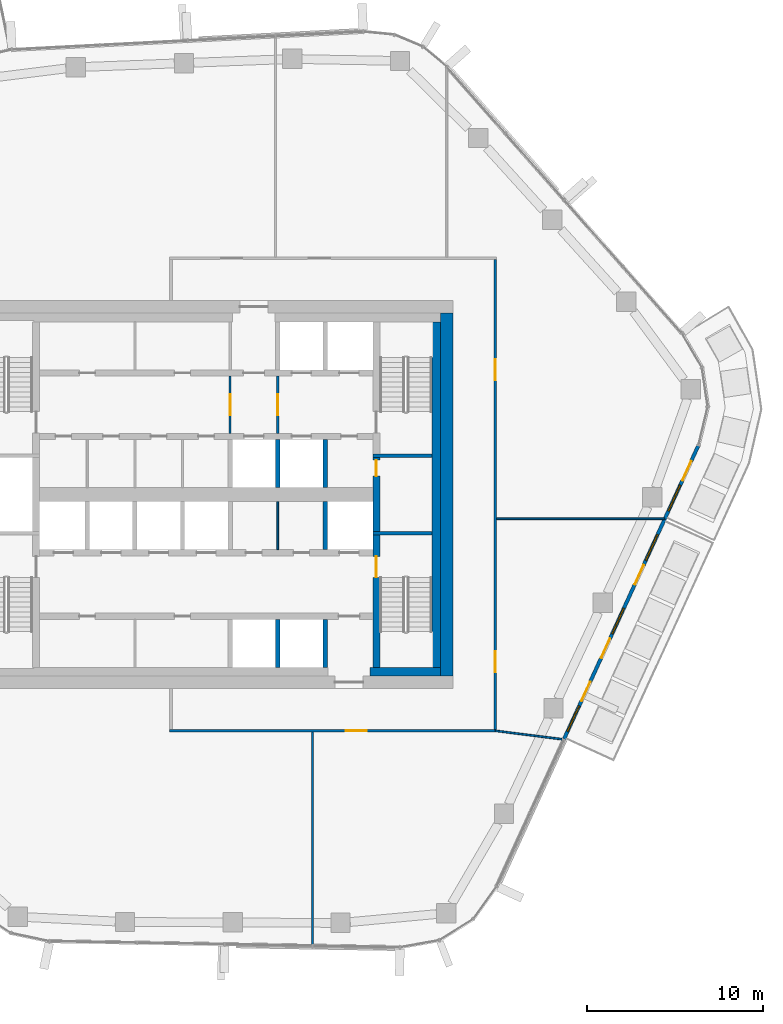
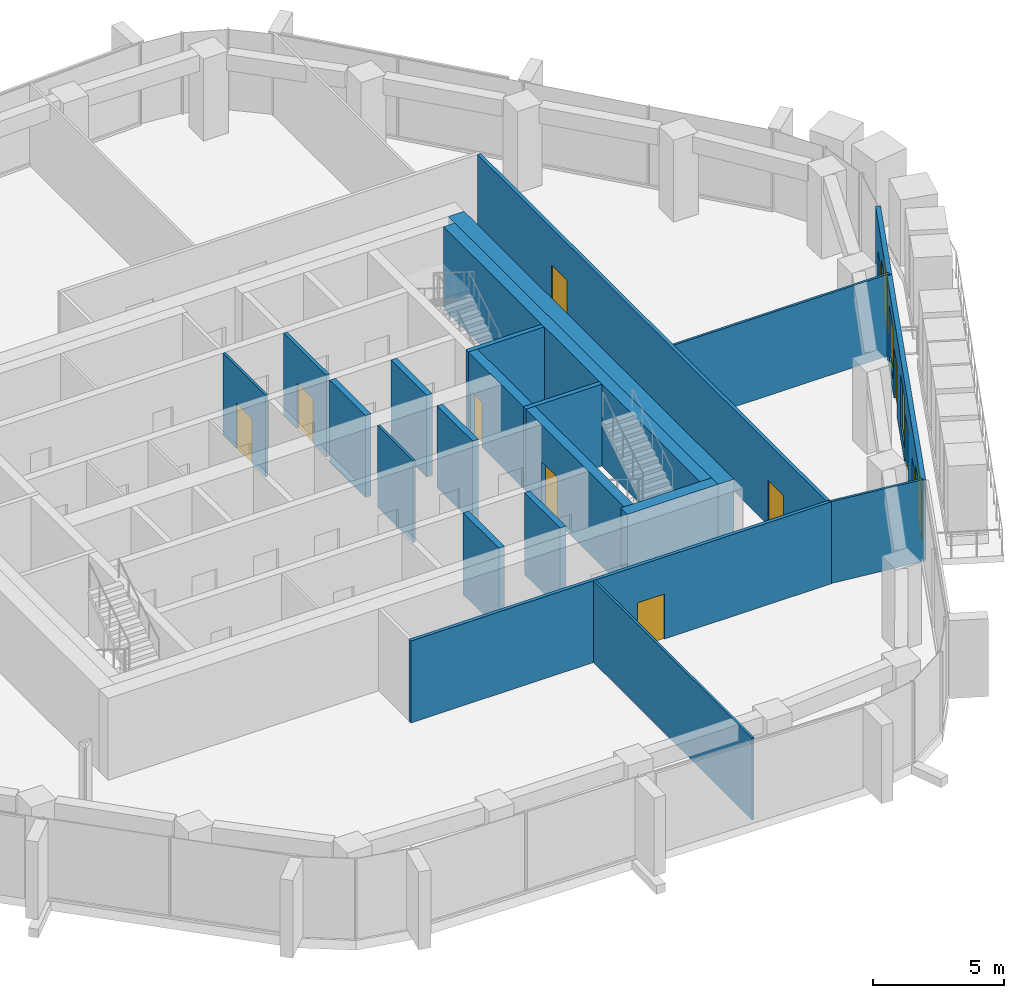
# One storey, part 13 of 22: 22 walls, 11 doors, 4 windows, 15 openings.
"""IFC4 building model written with IfcOpenShell, lengths in metres."""

from ifc_helpers import new_model, si_unit, direction, frame, frame_2d, origin, place, context, subcontext, project, spatial, rectangle, extrude, material, layer, layer_set, type_object, element, fill, save


model = new_model("IFC4")

# Units and contexts
model_context = context("Model", 3, precision=1e-05, world=origin(), true_north=direction((0.0, 1.0)))
body_context = subcontext(model_context, "Body", "Model", "MODEL_VIEW")
ifc_project = project(units=[si_unit("LENGTHUNIT", "METRE"), si_unit("AREAUNIT", "SQUARE_METRE"), si_unit("VOLUMEUNIT", "CUBIC_METRE"), si_unit("PLANEANGLEUNIT", "RADIAN"), si_unit("MASSUNIT", "GRAM", prefix="KILO")], contexts=[model_context])

# Site, building, storey
site_placement = place(None, origin())
site = spatial("IfcSite", under=ifc_project, at=site_placement, CompositionType="ELEMENT")
building_placement = place(site_placement, origin())
building = spatial("IfcBuilding", under=site, at=building_placement, Name="Dongbaek Canopy Tower", CompositionType="ELEMENT")
storey_placement = place(building_placement, frame((0.0, 0.0, 237.0)))
storey = spatial("IfcBuildingStorey", under=building, at=storey_placement, Name="L49", CompositionType="ELEMENT", Elevation=237.0)

# Walls
ifc_material_1 = material(Name="Concrete C70/85", Category="concrete")
ifc_layer_1 = layer(ifc_material_1, 0.699951171875)
ifc_layer_set_1 = layer_set([ifc_layer_1], Name="Core outer wall 700 Concrete C70/85")
wall_type_1 = type_object("IfcWallType", Name="Core outer wall 700 Concrete C70/85", PredefinedType="SHEAR", material=ifc_layer_set_1)
wall_1_placement = place(storey_placement, frame((13.64990234375, 10.300048828125, 0.0), z_axis=(0.0, 0.0, 1.0), x_axis=(0.0, -1.0, 0.0)))
element("IfcWall", 1, at=wall_1_placement, inside=storey, type_object=wall_type_1, Name="Core wall", PredefinedType="SHEAR", context=body_context, shape_type="SweptSolid", body=[
    extrude(rectangle(XDim=20.60009765625, YDim=0.699951171875, at=frame_2d((10.300048828125, 0.0))), origin(), (0.0, 0.0, 1.0), 3.820068359375),
])
ifc_material_2 = material(Name="Concrete C60/75", Category="concrete")
ifc_layer_2 = layer(ifc_material_2, 0.5)
ifc_layer_set_2 = layer_set([ifc_layer_2], Name="Core wall lining 500 Concrete C60/75")
wall_type_2 = type_object("IfcWallType", Name="Core wall lining 500 Concrete C60/75", PredefinedType="SHEAR", material=ifc_layer_set_2)
wall_2_placement = place(storey_placement, frame((13.300048828125, -10.050048828125, 0.0), z_axis=(0.0, 0.0, 1.0), x_axis=(-1.0, 0.0, 0.0)))
element("IfcWall", 2, at=wall_2_placement, inside=storey, type_object=wall_type_2, Name="Core wall lining", PredefinedType="SHEAR", context=body_context, shape_type="SweptSolid", body=[
    extrude(rectangle(XDim=4.0, YDim=0.5, at=frame_2d((2.0, 0.0))), origin(), (0.0, 0.0, 1.0), 3.820068359375),
])
wall_3_placement = place(storey_placement, frame((13.050048828125, 9.800048828125, 0.0), z_axis=(0.0, 0.0, 1.0), x_axis=(0.0, -1.0, 0.0)))
element("IfcWall", 3, at=wall_3_placement, inside=storey, type_object=wall_type_2, Name="Core wall lining", PredefinedType="SHEAR", context=body_context, shape_type="SweptSolid", body=[
    extrude(rectangle(XDim=19.60009765625, YDim=0.5, at=frame_2d((9.800048828125, 0.0))), origin(), (0.0, 0.0, 1.0), 3.820068359375),
])

# Wall, opening, door
ifc_material_3 = material(Name="Gypsum board partition, steel stud, 2 x 15 mm fire board", Category="steel")
ifc_layer_3 = layer(ifc_material_3, 0.14990234375)
ifc_layer_set_3 = layer_set([ifc_layer_3], Name="Fire-rated partition 150 gypsum board")
wall_type_3 = type_object("IfcWallType", Name="Fire-rated partition 150 gypsum board", PredefinedType="PARTITIONING", material=ifc_layer_set_3)
wall_4_placement = place(storey_placement, frame((16.47509765625, -13.39990234375, 0.0), z_axis=(0.0, 0.0, 1.0), x_axis=(-1.0, 0.0, 0.0)))
wall_4 = element("IfcWall", 4, at=wall_4_placement, inside=storey, type_object=wall_type_3, Name="Corridor partition", PredefinedType="PARTITIONING", context=body_context, shape_type="SweptSolid", body=[
    extrude(rectangle(XDim=18.550048828125, YDim=0.14990234375, at=frame_2d((9.27490234375, 0.0))), origin(), (0.0, 0.0, 1.0), 3.820068359375),
])
opening_1_placement = place(wall_4_placement, frame((7.3671875, 0.0, 0.0)))
opening_1 = element("IfcOpeningElement", 5, at=opening_1_placement, cuts=wall_4, Name="Opening L49-D002", PredefinedType="OPENING", context=body_context, shape_type="SweptSolid", body=[
    extrude(rectangle(XDim=1.199951171875, YDim=2.10009765625, at=frame_2d((0.60009765625, 1.050048828125))), frame((0.0, 0.0849609375, 0.0), z_axis=(0.0, -1.0, 0.0), x_axis=(1.0, 0.0, 0.0)), (0.0, 0.0, 1.0), 0.169921875),
])
ifc_material_4 = material(Name="Timber veneered door leaf", Category="wood")
door_type_1 = type_object("IfcDoorType", Name="Room door 1200 x 2100", OperationType="SINGLE_SWING_LEFT", PredefinedType="DOOR", material=ifc_material_4)
door_1_placement = place(opening_1_placement, origin())
door_1 = element("IfcDoor", 6, at=door_1_placement, inside=storey, type_object=door_type_1, Name="Door L49-D002", OperationType="SINGLE_SWING_LEFT", OverallHeight=2.10009765625, OverallWidth=1.199951171875, PredefinedType="DOOR", context=body_context, shape_type="SweptSolid", body=[
    extrude(rectangle(XDim=1.199951171875, YDim=2.10009765625, at=frame_2d((0.60009765625, 1.050048828125))), frame((0.0, 0.02490234375, 0.0), z_axis=(0.0, -1.0, 0.0), x_axis=(1.0, 0.0, 0.0)), (0.0, 0.0, 1.0), 0.050048828125),
])
fill(opening_1, door_1)

# Wall, openings, doors
wall_5_placement = place(storey_placement, frame((16.39990234375, 13.324951171875, 0.0), z_axis=(0.0, 0.0, 1.0), x_axis=(0.0, -1.0, 0.0)))
wall_5 = element("IfcWall", 7, at=wall_5_placement, inside=storey, type_object=wall_type_3, Name="Corridor partition", PredefinedType="PARTITIONING", context=body_context, shape_type="SweptSolid", body=[
    extrude(rectangle(XDim=26.64990234375, YDim=0.14990234375, at=frame_2d((13.324951171875, 0.0))), origin(), (0.0, 0.0, 1.0), 3.820068359375),
])
opening_2_placement = place(wall_5_placement, frame((22.198974609375, 0.0, 0.0)))
opening_2 = element("IfcOpeningElement", 8, at=opening_2_placement, cuts=wall_5, Name="Opening L49-D003", PredefinedType="OPENING", context=body_context, shape_type="SweptSolid", body=[
    extrude(rectangle(XDim=1.199951171875, YDim=2.10009765625, at=frame_2d((0.60009765625, 1.050048828125))), frame((0.0, 0.0849609375, 0.0), z_axis=(0.0, -1.0, 0.0), x_axis=(1.0, 0.0, 0.0)), (0.0, 0.0, 1.0), 0.169921875),
])
opening_3_placement = place(wall_5_placement, frame((5.651123046875, 0.0, 0.0)))
opening_3 = element("IfcOpeningElement", 9, at=opening_3_placement, cuts=wall_5, Name="Opening L49-D004", PredefinedType="OPENING", context=body_context, shape_type="SweptSolid", body=[
    extrude(rectangle(XDim=1.199951171875, YDim=2.10009765625, at=frame_2d((0.60009765625, 1.050048828125))), frame((0.0, 0.0849609375, 0.0), z_axis=(0.0, -1.0, 0.0), x_axis=(1.0, 0.0, 0.0)), (0.0, 0.0, 1.0), 0.169921875),
])
door_2_placement = place(opening_2_placement, origin())
door_2 = element("IfcDoor", 10, at=door_2_placement, inside=storey, type_object=door_type_1, Name="Door L49-D003", OperationType="SINGLE_SWING_RIGHT", OverallHeight=2.10009765625, OverallWidth=1.199951171875, PredefinedType="DOOR", context=body_context, shape_type="SweptSolid", body=[
    extrude(rectangle(XDim=1.199951171875, YDim=2.10009765625, at=frame_2d((0.60009765625, 1.050048828125))), frame((0.0, 0.02490234375, 0.0), z_axis=(0.0, -1.0, 0.0), x_axis=(1.0, 0.0, 0.0)), (0.0, 0.0, 1.0), 0.050048828125),
])
fill(opening_2, door_2)
door_3_placement = place(opening_3_placement, origin())
door_3 = element("IfcDoor", 11, at=door_3_placement, inside=storey, type_object=door_type_1, Name="Door L49-D004", OperationType="SINGLE_SWING_LEFT", OverallHeight=2.10009765625, OverallWidth=1.199951171875, PredefinedType="DOOR", context=body_context, shape_type="SweptSolid", body=[
    extrude(rectangle(XDim=1.199951171875, YDim=2.10009765625, at=frame_2d((0.60009765625, 1.050048828125))), frame((0.0, 0.02490234375, 0.0), z_axis=(0.0, -1.0, 0.0), x_axis=(1.0, 0.0, 0.0)), (0.0, 0.0, 1.0), 0.050048828125),
])
fill(opening_3, door_3)

# Wall, opening, door
wall_6_placement = place(storey_placement, frame((4.050048828125, 6.72509765625, 0.0), z_axis=(0.0, 0.0, 1.0), x_axis=(0.0, -1.0, 0.0)))
wall_6 = element("IfcWall", 12, at=wall_6_placement, inside=storey, type_object=wall_type_3, Name="Fire lobby partition", PredefinedType="PARTITIONING", context=body_context, shape_type="SweptSolid", body=[
    extrude(rectangle(XDim=3.25, YDim=0.14990234375, at=frame_2d((1.625, 0.0))), origin(), (0.0, 0.0, 1.0), 3.820068359375),
])
opening_4_placement = place(wall_6_placement, frame((1.02490234375, 0.0, 0.0)))
opening_4 = element("IfcOpeningElement", 13, at=opening_4_placement, cuts=wall_6, Name="Opening L49-D036", PredefinedType="OPENING", context=body_context, shape_type="SweptSolid", body=[
    extrude(rectangle(XDim=1.199951171875, YDim=2.10009765625, at=frame_2d((0.60009765625, 1.050048828125))), frame((0.0, 0.0849609375, 0.0), z_axis=(0.0, -1.0, 0.0), x_axis=(1.0, 0.0, 0.0)), (0.0, 0.0, 1.0), 0.169921875),
])
ifc_material_5 = material(Name="Steel", Category="steel")
door_type_2 = type_object("IfcDoorType", Name="Fire lobby door 1200 x 2100", OperationType="SINGLE_SWING_LEFT", PredefinedType="DOOR", material=ifc_material_5)
door_4_placement = place(opening_4_placement, origin())
door_4 = element("IfcDoor", 14, at=door_4_placement, inside=storey, type_object=door_type_2, Name="Door L49-D036", OperationType="SINGLE_SWING_RIGHT", OverallHeight=2.10009765625, OverallWidth=1.199951171875, PredefinedType="DOOR", context=body_context, shape_type="SweptSolid", body=[
    extrude(rectangle(XDim=1.199951171875, YDim=2.10009765625, at=frame_2d((0.60009765625, 1.050048828125))), frame((0.0, 0.02490234375, 0.0), z_axis=(0.0, -1.0, 0.0), x_axis=(1.0, 0.0, 0.0)), (0.0, 0.0, 1.0), 0.050048828125),
])
fill(opening_4, door_4)

# Walls
ifc_material_6 = material(Name="Concrete C40/50", Category="concrete")
ifc_layer_4 = layer(ifc_material_6, 0.25)
ifc_layer_set_4 = layer_set([ifc_layer_4], Name="Lift shaft wall 250 Concrete C40/50")
wall_type_4 = type_object("IfcWallType", Name="Lift shaft wall 250 Concrete C40/50", PredefinedType="SOLIDWALL", material=ifc_layer_set_4)
for number, where, z_axis, x_axis, name in (
    (15, (6.75, -9.800048828125, 0.0), (0.0, 0.0, 1.0), (0.0, 1.0, 0.0), "Lift shaft wall"),
    (16, (6.75, -3.125, 0.0), (0.0, 0.0, 1.0), (0.0, 1.0, 0.0), "Lift shaft wall"),
    (17, (6.75, 0.39990234375, 0.0), (0.0, 0.0, 1.0), (0.0, 1.0, 0.0), "Lift shaft wall"),
    (18, (4.050048828125, -9.800048828125, 0.0), (0.0, 0.0, 1.0), (0.0, 1.0, 0.0), "Lift shaft wall"),
    (19, (4.050048828125, 0.39990234375, 0.0), (0.0, 0.0, 1.0), (0.0, 1.0, 0.0), "Lift shaft wall"),
):
    element("IfcWall", number, at=place(storey_placement, frame(where, z_axis=z_axis, x_axis=x_axis)), inside=storey, type_object=wall_type_4, Name=name, PredefinedType="SOLIDWALL", context=body_context, shape_type="SweptSolid", body=[
        extrude(rectangle(XDim=2.72509765625, YDim=0.25, at=frame_2d((1.362548828125, 0.0))), origin(), (0.0, 0.0, 1.0), 3.820068359375),
    ])
ifc_material_7 = material(Name="Gypsum board partition, steel stud, 2 x 12.5 mm board", Category="steel")
ifc_layer_5 = layer(ifc_material_7, 0.10009765625)
ifc_layer_set_5 = layer_set([ifc_layer_5], Name="Partition 100 gypsum board")
wall_type_5 = type_object("IfcWallType", Name="Partition 100 gypsum board", PredefinedType="PARTITIONING", material=ifc_layer_set_5)
wall_7_placement = place(storey_placement, frame((16.47509765625, -1.3759765625, 0.0), z_axis=(0.0, 0.0, 1.0), x_axis=(1.0, 0.0, 0.0)))
element("IfcWall", 20, at=wall_7_placement, inside=storey, type_object=wall_type_5, Name="Partition", PredefinedType="PARTITIONING", context=body_context, shape_type="SweptSolid", body=[
    extrude(rectangle(XDim=9.513916015625, YDim=0.10009765625, at=frame_2d((4.7568359375, 0.0))), origin(), (0.0, 0.0, 1.0), 3.820068359375),
])
wall_8_placement = place(storey_placement, frame((6.02587890625, -25.57568359375, 0.0), z_axis=(0.0, 0.0, 1.0), x_axis=(0.0, 1.0, 0.0)))
element("IfcWall", 21, at=wall_8_placement, inside=storey, type_object=wall_type_5, Name="Partition", PredefinedType="PARTITIONING", context=body_context, shape_type="SweptSolid", body=[
    extrude(rectangle(XDim=12.1005859375, YDim=0.10009765625, at=frame_2d((6.05029296875, 0.0))), origin(), (0.0, 0.0, 1.0), 3.820068359375),
])
wall_9_placement = place(storey_placement, frame((16.39990234375, -13.400390625, 0.0), z_axis=(0.0, 0.0, 1.0), x_axis=(0.992073977013, -0.125655179493, 0.0)))
element("IfcWall", 22, at=wall_9_placement, inside=storey, type_object=wall_type_5, Name="Partition", PredefinedType="PARTITIONING", context=body_context, shape_type="SweptSolid", body=[
    extrude(rectangle(XDim=3.8935546875, YDim=0.10009765625, at=frame_2d((1.94677734375, 0.0))), origin(), (0.0, 0.0, 1.0), 3.820068359375),
])
wall_10_placement = place(storey_placement, frame((4.050048828125, -3.125, 0.0), z_axis=(0.0, 0.0, 1.0), x_axis=(0.0, 1.0, 0.0)))
element("IfcWall", 23, at=wall_10_placement, inside=storey, type_object=wall_type_5, Name="Core partition", PredefinedType="PARTITIONING", context=body_context, shape_type="SweptSolid", body=[
    extrude(rectangle(XDim=2.72509765625, YDim=0.10009765625, at=frame_2d((1.362548828125, 0.0))), origin(), (0.0, 0.0, 1.0), 3.820068359375),
])

# Wall, opening, door
wall_11_placement = place(storey_placement, frame((1.35009765625, 6.72509765625, 0.0), z_axis=(0.0, 0.0, 1.0), x_axis=(0.0, -1.0, 0.0)))
wall_11 = element("IfcWall", 24, at=wall_11_placement, inside=storey, type_object=wall_type_5, Name="Core partition", PredefinedType="PARTITIONING", context=body_context, shape_type="SweptSolid", body=[
    extrude(rectangle(XDim=3.25, YDim=0.10009765625, at=frame_2d((1.625, 0.0))), origin(), (0.0, 0.0, 1.0), 3.820068359375),
])
opening_5_placement = place(wall_11_placement, frame((1.02490234375, 0.0, 0.0)))
opening_5 = element("IfcOpeningElement", 25, at=opening_5_placement, cuts=wall_11, Name="Opening L49-D035", PredefinedType="OPENING", context=body_context, shape_type="SweptSolid", body=[
    extrude(rectangle(XDim=1.199951171875, YDim=2.10009765625, at=frame_2d((0.60009765625, 1.050048828125))), frame((0.0, 0.06005859375, 0.0), z_axis=(0.0, -1.0, 0.0), x_axis=(1.0, 0.0, 0.0)), (0.0, 0.0, 1.0), 0.1201171875),
])
door_5_placement = place(opening_5_placement, origin())
door_5 = element("IfcDoor", 26, at=door_5_placement, inside=storey, type_object=door_type_2, Name="Door L49-D035", OperationType="SINGLE_SWING_LEFT", OverallHeight=2.10009765625, OverallWidth=1.199951171875, PredefinedType="DOOR", context=body_context, shape_type="SweptSolid", body=[
    extrude(rectangle(XDim=1.199951171875, YDim=2.10009765625, at=frame_2d((0.60009765625, 1.050048828125))), frame((0.0, 0.02490234375, 0.0), z_axis=(0.0, -1.0, 0.0), x_axis=(1.0, 0.0, 0.0)), (0.0, 0.0, 1.0), 0.050048828125),
])
fill(opening_5, door_5)

# Walls
ifc_material_8 = material(Name="Concrete C60/75", Category="concrete")
ifc_layer_6 = layer(ifc_material_8, 0.199951171875)
ifc_layer_set_6 = layer_set([ifc_layer_6], Name="Riser wall 200 Concrete C60/75")
wall_type_6 = type_object("IfcWallType", Name="Riser wall 200 Concrete C60/75", PredefinedType="SHEAR", material=ifc_layer_set_6)
for number, where, z_axis, x_axis, name in (
    (27, (9.449951171875, 2.199951171875, 0.0), (0.0, 0.0, 1.0), (1.0, 0.0, 0.0), "Riser wall"),
    (28, (9.449951171875, -2.199951171875, 0.0), (0.0, 0.0, 1.0), (1.0, 0.0, 0.0), "Riser wall"),
):
    element("IfcWall", number, at=place(storey_placement, frame(where, z_axis=z_axis, x_axis=x_axis)), inside=storey, type_object=wall_type_6, Name=name, PredefinedType="SHEAR", context=body_context, shape_type="SweptSolid", body=[
        extrude(rectangle(XDim=3.35009765625, YDim=0.199951171875, at=frame_2d((1.675048828125, 0.0))), origin(), (0.0, 0.0, 1.0), 3.820068359375),
    ])

# Wall, opening, door
ifc_material_9 = material(Name="Concrete C60/75", Category="concrete")
ifc_layer_7 = layer(ifc_material_9, 0.39990234375)
ifc_layer_set_7 = layer_set([ifc_layer_7], Name="Stair wall 400 Concrete C60/75")
wall_type_7 = type_object("IfcWallType", Name="Stair wall 400 Concrete C60/75", PredefinedType="SHEAR", material=ifc_layer_set_7)
wall_12_placement = place(storey_placement, frame((9.64990234375, -2.300048828125, 0.0), z_axis=(0.0, 0.0, 1.0), x_axis=(0.0, -1.0, 0.0)))
wall_12 = element("IfcWall", 29, at=wall_12_placement, inside=storey, type_object=wall_type_7, Name="Stair wall", PredefinedType="SHEAR", context=body_context, shape_type="SweptSolid", body=[
    extrude(rectangle(XDim=7.5, YDim=0.39990234375, at=frame_2d((3.75, 0.0))), origin(), (0.0, 0.0, 1.0), 3.820068359375),
])
opening_6_placement = place(wall_12_placement, frame((1.199951171875, 0.0, 0.0)))
opening_6 = element("IfcOpeningElement", 30, at=opening_6_placement, cuts=wall_12, Name="Opening L49-D033", PredefinedType="OPENING", context=body_context, shape_type="SweptSolid", body=[
    extrude(rectangle(XDim=1.199951171875, YDim=2.10009765625, at=frame_2d((0.60009765625, 1.050048828125))), frame((0.0, 0.2099609375, 0.0), z_axis=(0.0, -1.0, 0.0), x_axis=(1.0, 0.0, 0.0)), (0.0, 0.0, 1.0), 0.419921875),
])
ifc_material_10 = material(Name="Steel", Category="steel")
door_type_3 = type_object("IfcDoorType", Name="Stair door 1200 x 2100", OperationType="SINGLE_SWING_LEFT", PredefinedType="DOOR", material=ifc_material_10)
door_6_placement = place(opening_6_placement, origin())
door_6 = element("IfcDoor", 31, at=door_6_placement, inside=storey, type_object=door_type_3, Name="Stair B door", OperationType="SINGLE_SWING_RIGHT", OverallHeight=2.10009765625, OverallWidth=1.199951171875, PredefinedType="DOOR", context=body_context, shape_type="SweptSolid", body=[
    extrude(rectangle(XDim=1.199951171875, YDim=2.10009765625, at=frame_2d((0.60009765625, 1.050048828125))), frame((0.0, 0.02490234375, 0.0), z_axis=(0.0, -1.0, 0.0), x_axis=(1.0, 0.0, 0.0)), (0.0, 0.0, 1.0), 0.050048828125),
])
fill(opening_6, door_6)

wall_13_placement = place(storey_placement, frame((9.64990234375, 2.10009765625, 0.0), z_axis=(0.0, 0.0, 1.0), x_axis=(0.0, -1.0, 0.0)))
wall_13 = element("IfcWall", 32, at=wall_13_placement, inside=storey, type_object=wall_type_7, Name="Stair wall", PredefinedType="SHEAR", context=body_context, shape_type="SweptSolid", body=[
    extrude(rectangle(XDim=4.2001953125, YDim=0.39990234375, at=frame_2d((2.10009765625, 0.0))), origin(), (0.0, 0.0, 1.0), 3.820068359375),
])
opening_7_placement = place(wall_13_placement, frame((0.14990234375, 0.0, 0.0)))
opening_7 = element("IfcOpeningElement", 33, at=opening_7_placement, cuts=wall_13, Name="Opening L49-D006", PredefinedType="OPENING", context=body_context, shape_type="SweptSolid", body=[
    extrude(rectangle(XDim=0.89990234375, YDim=2.10009765625, at=frame_2d((0.449951171875, 1.050048828125))), frame((0.0, 0.2099609375, 0.0), z_axis=(0.0, -1.0, 0.0), x_axis=(1.0, 0.0, 0.0)), (0.0, 0.0, 1.0), 0.419921875),
])
ifc_material_11 = material(Name="Steel", Category="steel")
door_type_4 = type_object("IfcDoorType", Name="Core room door 900 x 2100", OperationType="SINGLE_SWING_LEFT", PredefinedType="DOOR", material=ifc_material_11)
door_7_placement = place(opening_7_placement, origin())
door_7 = element("IfcDoor", 34, at=door_7_placement, inside=storey, type_object=door_type_4, Name="Door L49-D006", OperationType="SINGLE_SWING_RIGHT", OverallHeight=2.10009765625, OverallWidth=0.89990234375, PredefinedType="DOOR", context=body_context, shape_type="SweptSolid", body=[
    extrude(rectangle(XDim=0.89990234375, YDim=2.10009765625, at=frame_2d((0.449951171875, 1.050048828125))), frame((0.0, 0.02490234375, 0.0), z_axis=(0.0, -1.0, 0.0), x_axis=(1.0, 0.0, 0.0)), (0.0, 0.0, 1.0), 0.050048828125),
])
fill(opening_7, door_7)

# Wall, openings, doors, windows
ifc_material_12 = material(Name="Aluminium window wall", Category="aluminium")
ifc_layer_8 = layer(ifc_material_12, 0.199951171875)
ifc_layer_set_8 = layer_set([ifc_layer_8], Name="Window wall 200")
wall_type_8 = type_object("IfcWallType", Name="Window wall 200", PredefinedType="SOLIDWALL", material=ifc_layer_set_8)
wall_14_placement = place(storey_placement, frame((20.283447265625, -13.89208984375, 0.0), z_axis=(0.0, 0.0, 1.0), x_axis=(0.416106802435, 0.909315747674, 0.0)))
wall_14 = element("IfcWall", 35, at=wall_14_placement, inside=storey, type_object=wall_type_8, Name="Window wall L49 2", PredefinedType="SOLIDWALL", context=body_context, shape_type="SweptSolid", body=[
    extrude(rectangle(XDim=13.7646484375, YDim=0.199951171875, at=frame_2d((6.88232421875, 0.0))), origin(), (0.0, 0.0, 1.0), 3.75),
])
opening_8_placement = place(wall_14_placement, frame((0.5, 0.0, 0.60009765625)))
opening_8 = element("IfcOpeningElement", 36, at=opening_8_placement, cuts=wall_14, Name="Opening W1", PredefinedType="OPENING", context=body_context, shape_type="SweptSolid", body=[
    extrude(rectangle(XDim=1.60009765625, YDim=2.39990234375, at=frame_2d((0.800048828125, 1.199951171875))), frame((0.0, 0.10986328125, 0.0), z_axis=(0.0, -1.0, 0.0), x_axis=(1.0, 0.0, 0.0)), (0.0, 0.0, 1.0), 0.219970703125),
])
opening_9_placement = place(wall_14_placement, frame((2.39990234375, 0.0, 0.0)))
opening_9 = element("IfcOpeningElement", 37, at=opening_9_placement, cuts=wall_14, Name="Opening L49-B05", PredefinedType="OPENING", context=body_context, shape_type="SweptSolid", body=[
    extrude(rectangle(XDim=1.199951171875, YDim=2.39990234375, at=frame_2d((0.60009765625, 1.199951171875))), frame((0.0, 0.10986328125, 0.0), z_axis=(0.0, -1.0, 0.0), x_axis=(1.0, 0.0, 0.0)), (0.0, 0.0, 1.0), 0.219970703125),
])
opening_10_placement = place(wall_14_placement, frame((6.588134765625, 0.0, 0.60009765625)))
opening_10 = element("IfcOpeningElement", 38, at=opening_10_placement, cuts=wall_14, Name="Opening W1", PredefinedType="OPENING", context=body_context, shape_type="SweptSolid", body=[
    extrude(rectangle(XDim=1.60009765625, YDim=2.39990234375, at=frame_2d((0.800048828125, 1.199951171875))), frame((0.0, 0.10986328125, 0.0), z_axis=(0.0, -1.0, 0.0), x_axis=(1.0, 0.0, 0.0)), (0.0, 0.0, 1.0), 0.219970703125),
])
opening_11_placement = place(wall_14_placement, frame((5.088134765625, 0.0, 0.0)))
opening_11 = element("IfcOpeningElement", 39, at=opening_11_placement, cuts=wall_14, Name="Opening L49-B06", PredefinedType="OPENING", context=body_context, shape_type="SweptSolid", body=[
    extrude(rectangle(XDim=1.199951171875, YDim=2.39990234375, at=frame_2d((0.60009765625, 1.199951171875))), frame((0.0, 0.10986328125, 0.0), z_axis=(0.0, -1.0, 0.0), x_axis=(1.0, 0.0, 0.0)), (0.0, 0.0, 1.0), 0.219970703125),
])
opening_12_placement = place(wall_14_placement, frame((11.17626953125, 0.0, 0.60009765625)))
opening_12 = element("IfcOpeningElement", 40, at=opening_12_placement, cuts=wall_14, Name="Opening W1", PredefinedType="OPENING", context=body_context, shape_type="SweptSolid", body=[
    extrude(rectangle(XDim=1.60009765625, YDim=2.39990234375, at=frame_2d((0.800048828125, 1.199951171875))), frame((0.0, 0.10986328125, 0.0), z_axis=(0.0, -1.0, 0.0), x_axis=(1.0, 0.0, 0.0)), (0.0, 0.0, 1.0), 0.219970703125),
])
opening_13_placement = place(wall_14_placement, frame((9.67626953125, 0.0, 0.0)))
opening_13 = element("IfcOpeningElement", 41, at=opening_13_placement, cuts=wall_14, Name="Opening L49-B07", PredefinedType="OPENING", context=body_context, shape_type="SweptSolid", body=[
    extrude(rectangle(XDim=1.199951171875, YDim=2.39990234375, at=frame_2d((0.60009765625, 1.199951171875))), frame((0.0, 0.10986328125, 0.0), z_axis=(0.0, -1.0, 0.0), x_axis=(1.0, 0.0, 0.0)), (0.0, 0.0, 1.0), 0.219970703125),
])
ifc_material_13 = material(Name="Clear glazing in aluminium frame", Category="aluminium")
door_type_5 = type_object("IfcDoorType", Name="Balcony door BD1 1200 x 2400", OperationType="SLIDING_TO_LEFT", PredefinedType="DOOR", material=ifc_material_13)
door_8_placement = place(opening_9_placement, origin())
door_8 = element("IfcDoor", 42, at=door_8_placement, inside=storey, type_object=door_type_5, Name="Balcony door L49-B05", OperationType="SLIDING_TO_LEFT", OverallHeight=2.39990234375, OverallWidth=1.199951171875, PredefinedType="DOOR", context=body_context, shape_type="SweptSolid", body=[
    extrude(rectangle(XDim=1.199951171875, YDim=2.39990234375, at=frame_2d((0.60009765625, 1.199951171875))), frame((0.0, 0.02490234375, 0.0), z_axis=(0.0, -1.0, 0.0), x_axis=(1.0, 0.0, 0.0)), (0.0, 0.0, 1.0), 0.050048828125),
])
fill(opening_9, door_8)
door_9_placement = place(opening_11_placement, origin())
door_9 = element("IfcDoor", 43, at=door_9_placement, inside=storey, type_object=door_type_5, Name="Balcony door L49-B06", OperationType="SLIDING_TO_LEFT", OverallHeight=2.39990234375, OverallWidth=1.199951171875, PredefinedType="DOOR", context=body_context, shape_type="SweptSolid", body=[
    extrude(rectangle(XDim=1.199951171875, YDim=2.39990234375, at=frame_2d((0.60009765625, 1.199951171875))), frame((0.0, 0.02490234375, 0.0), z_axis=(0.0, -1.0, 0.0), x_axis=(1.0, 0.0, 0.0)), (0.0, 0.0, 1.0), 0.050048828125),
])
fill(opening_11, door_9)
door_10_placement = place(opening_13_placement, origin())
door_10 = element("IfcDoor", 44, at=door_10_placement, inside=storey, type_object=door_type_5, Name="Balcony door L49-B07", OperationType="SLIDING_TO_LEFT", OverallHeight=2.39990234375, OverallWidth=1.199951171875, PredefinedType="DOOR", context=body_context, shape_type="SweptSolid", body=[
    extrude(rectangle(XDim=1.199951171875, YDim=2.39990234375, at=frame_2d((0.60009765625, 1.199951171875))), frame((0.0, 0.02490234375, 0.0), z_axis=(0.0, -1.0, 0.0), x_axis=(1.0, 0.0, 0.0)), (0.0, 0.0, 1.0), 0.050048828125),
])
fill(opening_13, door_10)
ifc_material_14 = material(Name="Clear glazing in aluminium frame", Category="aluminium")
window_type = type_object("IfcWindowType", Name="Window W1 1600 x 2400", PartitioningType="SINGLE_PANEL", PredefinedType="WINDOW", material=ifc_material_14)
window_1_placement = place(opening_8_placement, origin())
window_1 = element("IfcWindow", 45, at=window_1_placement, inside=storey, type_object=window_type, Name="Window L49 2.1", OverallHeight=2.39990234375, OverallWidth=1.60009765625, PartitioningType="SINGLE_PANEL", PredefinedType="WINDOW", context=body_context, shape_type="SweptSolid", body=[
    extrude(rectangle(XDim=1.60009765625, YDim=2.39990234375, at=frame_2d((0.800048828125, 1.199951171875))), frame((0.0, 0.030029296875, 0.0), z_axis=(0.0, -1.0, 0.0), x_axis=(1.0, 0.0, 0.0)), (0.0, 0.0, 1.0), 0.06005859375),
])
fill(opening_8, window_1)
window_2_placement = place(opening_10_placement, origin())
window_2 = element("IfcWindow", 46, at=window_2_placement, inside=storey, type_object=window_type, Name="Window L49 2.2", OverallHeight=2.39990234375, OverallWidth=1.60009765625, PartitioningType="SINGLE_PANEL", PredefinedType="WINDOW", context=body_context, shape_type="SweptSolid", body=[
    extrude(rectangle(XDim=1.60009765625, YDim=2.39990234375, at=frame_2d((0.800048828125, 1.199951171875))), frame((0.0, 0.030029296875, 0.0), z_axis=(0.0, -1.0, 0.0), x_axis=(1.0, 0.0, 0.0)), (0.0, 0.0, 1.0), 0.06005859375),
])
fill(opening_10, window_2)
window_3_placement = place(opening_12_placement, origin())
window_3 = element("IfcWindow", 47, at=window_3_placement, inside=storey, type_object=window_type, Name="Window L49 2.3", OverallHeight=2.39990234375, OverallWidth=1.60009765625, PartitioningType="SINGLE_PANEL", PredefinedType="WINDOW", context=body_context, shape_type="SweptSolid", body=[
    extrude(rectangle(XDim=1.60009765625, YDim=2.39990234375, at=frame_2d((0.800048828125, 1.199951171875))), frame((0.0, 0.030029296875, 0.0), z_axis=(0.0, -1.0, 0.0), x_axis=(1.0, 0.0, 0.0)), (0.0, 0.0, 1.0), 0.06005859375),
])
fill(opening_12, window_3)

# Wall, openings, door, window
wall_15_placement = place(storey_placement, frame((26.010986328125, -1.375732421875, 0.0), z_axis=(0.0, 0.0, 1.0), x_axis=(0.416127690122, 0.909306189088, 0.0)))
wall_15 = element("IfcWall", 48, at=wall_15_placement, inside=storey, type_object=wall_type_8, Name="Window wall L49 3", PredefinedType="SOLIDWALL", context=body_context, shape_type="SweptSolid", body=[
    extrude(rectangle(XDim=4.57861328125, YDim=0.199951171875, at=frame_2d((2.289306640625, 0.0))), origin(), (0.0, 0.0, 1.0), 3.75),
])
opening_14_placement = place(wall_15_placement, frame((0.5, 0.0, 0.60009765625)))
opening_14 = element("IfcOpeningElement", 49, at=opening_14_placement, cuts=wall_15, Name="Opening W1", PredefinedType="OPENING", context=body_context, shape_type="SweptSolid", body=[
    extrude(rectangle(XDim=1.60009765625, YDim=2.39990234375, at=frame_2d((0.800048828125, 1.199951171875))), frame((0.0, 0.10986328125, 0.0), z_axis=(0.0, -1.0, 0.0), x_axis=(1.0, 0.0, 0.0)), (0.0, 0.0, 1.0), 0.219970703125),
])
opening_15_placement = place(wall_15_placement, frame((2.39990234375, 0.0, 0.0)))
opening_15 = element("IfcOpeningElement", 50, at=opening_15_placement, cuts=wall_15, Name="Opening L49-B08", PredefinedType="OPENING", context=body_context, shape_type="SweptSolid", body=[
    extrude(rectangle(XDim=1.199951171875, YDim=2.39990234375, at=frame_2d((0.60009765625, 1.199951171875))), frame((0.0, 0.10986328125, 0.0), z_axis=(0.0, -1.0, 0.0), x_axis=(1.0, 0.0, 0.0)), (0.0, 0.0, 1.0), 0.219970703125),
])
door_11_placement = place(opening_15_placement, origin())
door_11 = element("IfcDoor", 51, at=door_11_placement, inside=storey, type_object=door_type_5, Name="Balcony door L49-B08", OperationType="SLIDING_TO_LEFT", OverallHeight=2.39990234375, OverallWidth=1.199951171875, PredefinedType="DOOR", context=body_context, shape_type="SweptSolid", body=[
    extrude(rectangle(XDim=1.199951171875, YDim=2.39990234375, at=frame_2d((0.60009765625, 1.199951171875))), frame((0.0, 0.02490234375, 0.0), z_axis=(0.0, -1.0, 0.0), x_axis=(1.0, 0.0, 0.0)), (0.0, 0.0, 1.0), 0.050048828125),
])
fill(opening_15, door_11)
window_4_placement = place(opening_14_placement, origin())
window_4 = element("IfcWindow", 52, at=window_4_placement, inside=storey, type_object=window_type, Name="Window L49 3.1", OverallHeight=2.39990234375, OverallWidth=1.60009765625, PartitioningType="SINGLE_PANEL", PredefinedType="WINDOW", context=body_context, shape_type="SweptSolid", body=[
    extrude(rectangle(XDim=1.60009765625, YDim=2.39990234375, at=frame_2d((0.800048828125, 1.199951171875))), frame((0.0, 0.030029296875, 0.0), z_axis=(0.0, -1.0, 0.0), x_axis=(1.0, 0.0, 0.0)), (0.0, 0.0, 1.0), 0.06005859375),
])
fill(opening_14, window_4)

save(model, "model.ifc")
